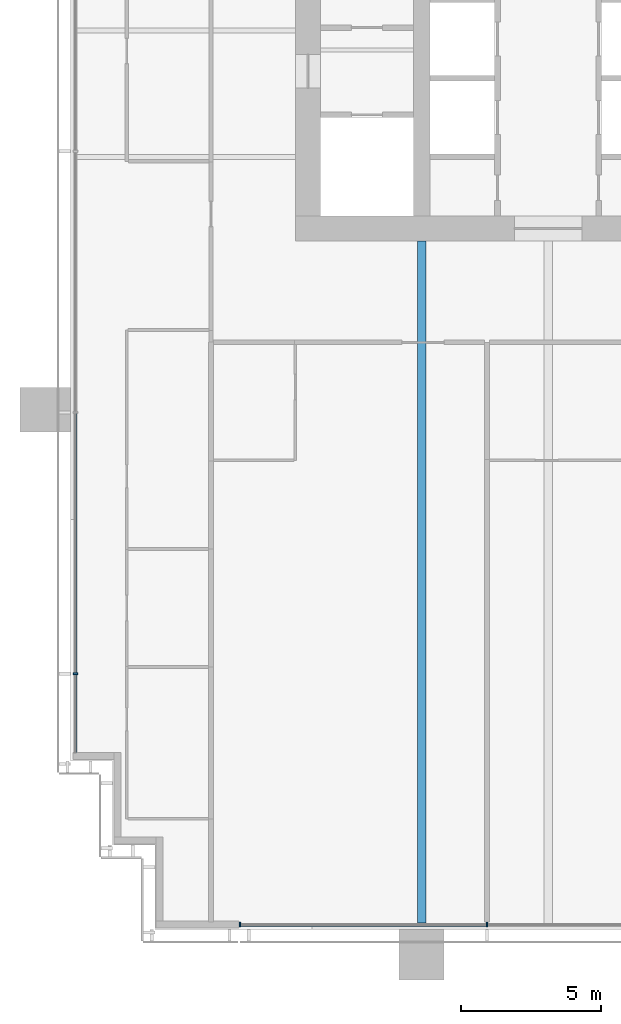
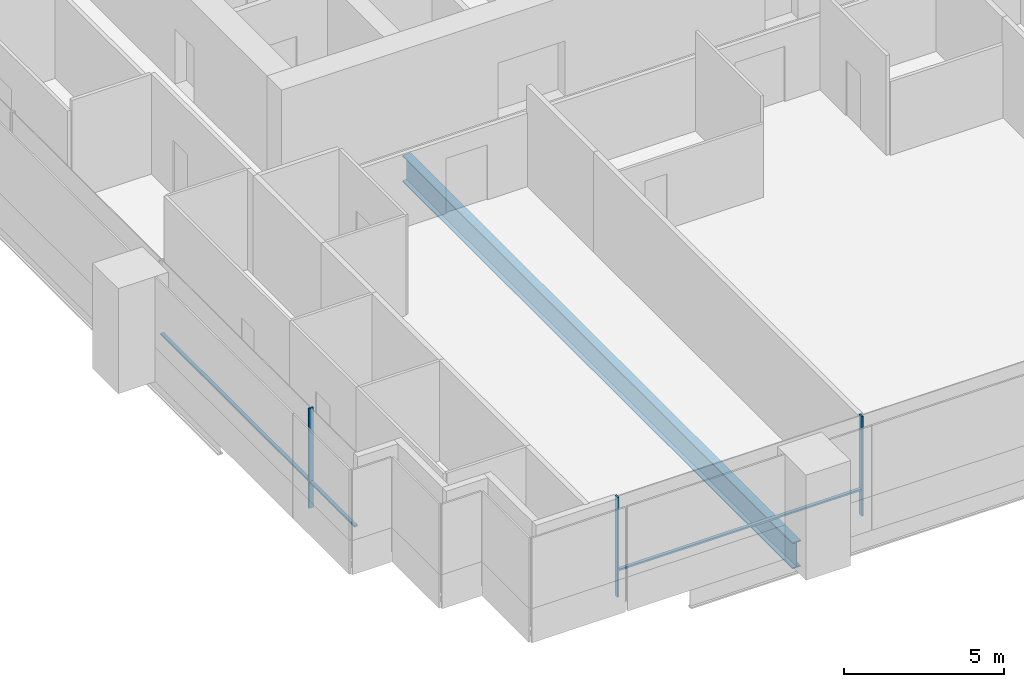
# One storey, part 2 of 19: 6 members, 1 beam, 2 elements without a shape of their own.
"""IFC4 building model written with IfcOpenShell, lengths in metres."""

from ifc_helpers import new_model, si_unit, direction, frame, origin, origin_2d, place, context, subcontext, project, spatial, rectangle, i_section, extrude, material, material_profile, profile_set, type_object, element, aggregate, save


model = new_model("IFC4")

# Units and contexts
model_context = context("Model", 3, precision=1e-05, world=origin(), true_north=direction((0.0, 1.0)))
body_context = subcontext(model_context, "Body", "Model", "MODEL_VIEW")
ifc_project = project(units=[si_unit("LENGTHUNIT", "METRE"), si_unit("AREAUNIT", "SQUARE_METRE"), si_unit("VOLUMEUNIT", "CUBIC_METRE"), si_unit("PLANEANGLEUNIT", "RADIAN"), si_unit("MASSUNIT", "GRAM", prefix="KILO")], contexts=[model_context])

# Site, building, storey
site_placement = place(None, origin())
site = spatial("IfcSite", under=ifc_project, at=site_placement, CompositionType="ELEMENT")
building_placement = place(site_placement, origin())
building = spatial("IfcBuilding", under=site, at=building_placement, Name="Rattan Terrace Tower", CompositionType="ELEMENT")
storey_placement = place(building_placement, frame((0.0, 0.0, 87.699951171875)))
storey = spatial("IfcBuildingStorey", under=building, at=storey_placement, Name="L19", CompositionType="ELEMENT", Elevation=87.699951171875)

# Curtain wall, member
ifc_material_1 = material(Name="Aluminium and glass", Category="aluminium")
curtain_wall_type = type_object("IfcCurtainWallType", Name="Facade Unitised Curtain Wall", PredefinedType="NOTDEFINED", material=ifc_material_1)
curtain_wall_1_placement = place(storey_placement, origin())
curtain_wall_1 = element("IfcCurtainWall", 1, at=curtain_wall_1_placement, inside=storey, type_object=curtain_wall_type, Name="Curtain wall L19-3", PredefinedType="NOTDEFINED")
ifc_material_2 = material(Name="Aluminium", Category="aluminium")
ifc_material_profile_1 = material_profile(ifc_material_2, rectangle(XDim=0.06005859375, YDim=0.159912109375, at=origin_2d()), Name="Aluminium 60x160")
ifc_profile_set_1 = profile_set([ifc_material_profile_1], Name="Aluminium")
member_type_1 = type_object("IfcMemberType", Name="Facade CW Mullion 60x160", PredefinedType="MULLION", material=ifc_profile_set_1)
member_1_placement = place(storey_placement, frame((-25.830078125, -22.89990234375, 0.0), z_axis=(0.0, 0.0, 1.0), x_axis=(0.0, -1.0, 0.0)))
member_1 = element("IfcMember", 2, at=member_1_placement, type_object=member_type_1, Name="Mullion cwl-L19-003.4", PredefinedType="MULLION", context=body_context, shape_type="SweptSolid", body=[
    extrude(rectangle(XDim=0.06005859375, YDim=0.159912109375, at=origin_2d()), origin(), (0.0, 0.0, 1.0), 3.800048828125),
])

# Curtain wall, members
curtain_wall_2_placement = place(storey_placement, origin())
curtain_wall_2 = element("IfcCurtainWall", 3, at=curtain_wall_2_placement, inside=storey, type_object=curtain_wall_type, Name="Curtain wall L19-4", PredefinedType="NOTDEFINED")
member_2_placement = place(storey_placement, frame((-19.969970703125, -31.830078125, 0.0), z_axis=(0.0, 0.0, 1.0), x_axis=(1.0, 0.0, 0.0)))
member_2 = element("IfcMember", 4, at=member_2_placement, type_object=member_type_1, Name="Mullion cwl-L19-004.1", PredefinedType="MULLION", context=body_context, shape_type="SweptSolid", body=[
    extrude(rectangle(XDim=0.06005859375, YDim=0.159912109375, at=origin_2d()), origin(), (0.0, 0.0, 1.0), 3.800048828125),
])
member_3_placement = place(storey_placement, frame((-11.177001953125, -31.830078125, 0.0), z_axis=(0.0, 0.0, 1.0), x_axis=(1.0, 0.0, 0.0)))
member_3 = element("IfcMember", 5, at=member_3_placement, type_object=member_type_1, Name="Mullion cwl-L19-004.2", PredefinedType="MULLION", context=body_context, shape_type="SweptSolid", body=[
    extrude(rectangle(XDim=0.06005859375, YDim=0.159912109375, at=origin_2d()), origin(), (0.0, 0.0, 1.0), 3.800048828125),
])

# Member
ifc_material_3 = material(Name="Aluminium", Category="aluminium")
ifc_material_profile_2 = material_profile(ifc_material_3, rectangle(XDim=0.1201171875, YDim=0.06005859375, at=origin_2d()), Name="Aluminium 120x60")
ifc_profile_set_2 = profile_set([ifc_material_profile_2], Name="Aluminium")
member_type_2 = type_object("IfcMemberType", Name="Facade CW Transom 120x60", PredefinedType="USERDEFINED", material=ifc_profile_set_2)
member_4_placement = place(storey_placement, frame((-25.830078125, -13.6298828125, 1.0), z_axis=(0.0, -1.0, 0.0), x_axis=(1.0, 0.0, 0.0)))
member_4 = element("IfcMember", 6, at=member_4_placement, type_object=member_type_2, Name="Transom cwl-L19-003.3", ObjectType="TRANSOM", PredefinedType="USERDEFINED", context=body_context, shape_type="SweptSolid", body=[
    extrude(rectangle(XDim=0.1201171875, YDim=0.06005859375, at=origin_2d()), origin(), (0.0, 0.0, 1.0), 9.240234375),
])

member_5_placement = place(storey_placement, frame((-25.830078125, -22.929931640625, 1.0), z_axis=(0.0, -1.0, 0.0), x_axis=(1.0, 0.0, 0.0)))
member_5 = element("IfcMember", 7, at=member_5_placement, type_object=member_type_2, Name="Transom cwl-L19-003.4", ObjectType="TRANSOM", PredefinedType="USERDEFINED", context=body_context, shape_type="SweptSolid", body=[
    extrude(rectangle(XDim=0.1201171875, YDim=0.06005859375, at=origin_2d()), origin(), (0.0, 0.0, 1.0), 2.775146484375),
])

aggregate(curtain_wall_1, [member_1, member_4, member_5])

member_6_placement = place(storey_placement, frame((-19.93994140625, -31.830078125, 1.0), z_axis=(1.0, 0.0, 0.0), x_axis=(0.0, 1.0, 0.0)))
member_6 = element("IfcMember", 8, at=member_6_placement, type_object=member_type_2, Name="Transom cwl-L19-004.1", ObjectType="TRANSOM", PredefinedType="USERDEFINED", context=body_context, shape_type="SweptSolid", body=[
    extrude(rectangle(XDim=0.1201171875, YDim=0.06005859375, at=origin_2d()), origin(), (0.0, 0.0, 1.0), 8.73291015625),
])

aggregate(curtain_wall_2, [member_2, member_3, member_6])

# Beam
ifc_material_4 = material(Name="Steel S460", Category="steel")
ifc_material_profile_3 = material_profile(ifc_material_4, i_section(OverallWidth=0.300048828125, OverallDepth=1.0, WebThickness=0.013916015625, FlangeThickness=0.0400390625, at=origin_2d()), Name="PG 1000x300-14-40")
ifc_profile_set_3 = profile_set([ifc_material_profile_3], Name="Steel S460")
beam_type = type_object("IfcBeamType", Name="Frame floor beam PG 1000x300-14-40", PredefinedType="JOIST", material=ifc_profile_set_3)
beam_placement = place(storey_placement, frame((-13.5, -31.820068359375, -0.699951171875), z_axis=(0.0, 1.0, 0.0), x_axis=(-1.0, 0.0, 0.0)))
element("IfcBeam", 9, at=beam_placement, inside=storey, type_object=beam_type, Name="bm-L19-003", PredefinedType="JOIST", context=body_context, shape_type="SweptSolid", body=[
    extrude(i_section(OverallWidth=0.300048828125, OverallDepth=1.0, WebThickness=0.013916015625, FlangeThickness=0.0400390625, at=origin_2d()), origin(), (0.0, 0.0, 1.0), 24.320068359375),
])

save(model, "model.ifc")
